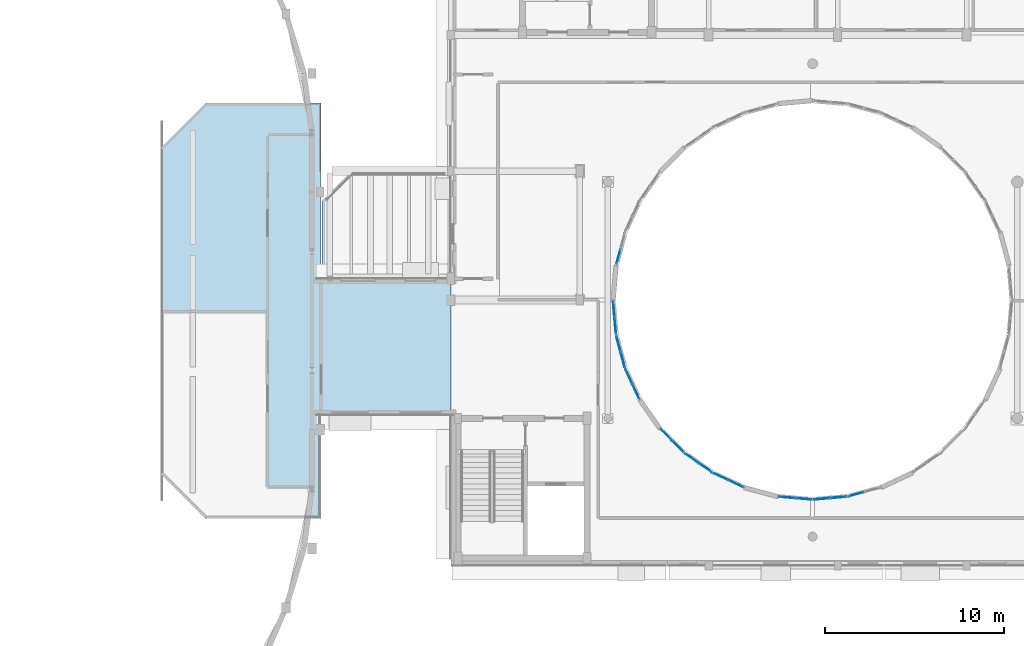
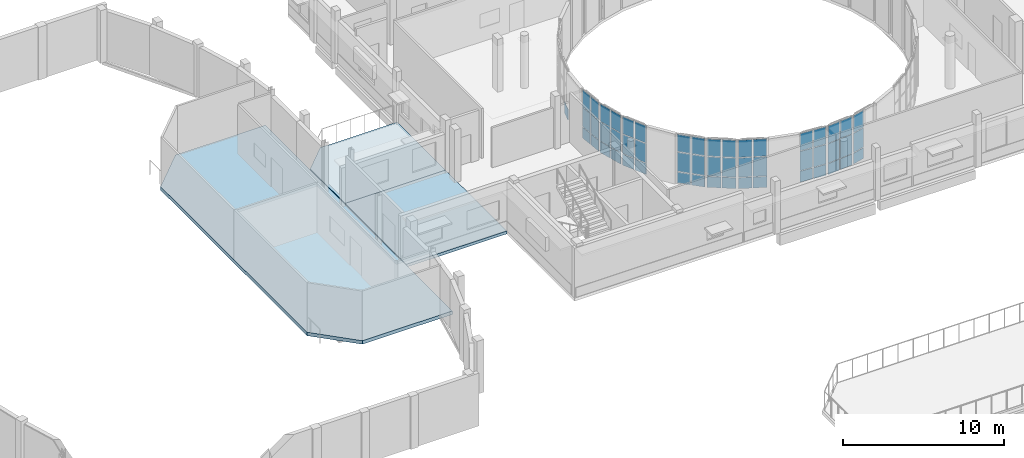
# One storey, part 54 of 92: 52 plates, 3 slabs, 10 elements without a shape of their own.
"""IFC4 building model written with IfcOpenShell, lengths in metres."""

from ifc_helpers import new_model, si_unit, direction, frame, origin, origin_2d, place, context, subcontext, project, spatial, polyline, rectangle, outline, extrude, material, layer, layer_set, type_object, element, aggregate, save


model = new_model("IFC4")

# Units and contexts
model_context = context("Model", 3, precision=1e-05, world=origin(), true_north=direction((0.0, 1.0)))
body_context = subcontext(model_context, "Body", "Model", "MODEL_VIEW")
ifc_project = project(units=[si_unit("LENGTHUNIT", "METRE"), si_unit("AREAUNIT", "SQUARE_METRE"), si_unit("VOLUMEUNIT", "CUBIC_METRE"), si_unit("PLANEANGLEUNIT", "RADIAN"), si_unit("MASSUNIT", "GRAM", prefix="KILO")], contexts=[model_context])

# Site, building, storey
site_placement = place(None, origin())
site = spatial("IfcSite", under=ifc_project, at=site_placement, CompositionType="ELEMENT")
building_placement = place(site_placement, origin())
building = spatial("IfcBuilding", under=site, at=building_placement, Name="Kelanivale Promenade Academy", CompositionType="ELEMENT")
storey_placement = place(building_placement, frame((0.0, 0.0, 8.199951171875)))
storey = spatial("IfcBuildingStorey", under=building, at=storey_placement, Name="L02", CompositionType="ELEMENT", Elevation=8.199951171875)

# Curtain wall, plate
ifc_material_1 = material(Name="Bronze anodised aluminium and solar-control low-E glass", Category="aluminium")
ifc_layer_1 = layer(ifc_material_1, 0.169921875)
ifc_layer_set_1 = layer_set([ifc_layer_1], Name="Bronze anodised aluminium and solar-control low-E glass")
curtain_wall_type_1 = type_object("IfcCurtainWallType", Name="CW-19 Curtain Wall 1350mm Module", PredefinedType="USERDEFINED", material=ifc_layer_set_1)
curtain_wall_1_placement = place(storey_placement, origin())
curtain_wall_1 = element("IfcCurtainWall", 1, at=curtain_wall_1_placement, inside=storey, type_object=curtain_wall_type_1, Name="L02 courtyard curtain wall CW-19", ObjectType="COURTYARD SCREEN GLAZING", PredefinedType="USERDEFINED")
ifc_material_2 = material(Name="Solar-control double glazing 28 mm", Category="glass")
ifc_layer_2 = layer(ifc_material_2, 0.028076171875)
ifc_layer_set_2 = layer_set([ifc_layer_2], Name="Solar-control double glazing 28 mm")
plate_type_1 = type_object("IfcPlateType", Name="CWP-01 Plate 28mm", PredefinedType="CURTAIN_PANEL", material=ifc_layer_set_2)
plate_1_placement = place(storey_placement, frame((52.563232421875, 59.235107421875, 0.05029296875), z_axis=(0.0, 0.0, 1.0), x_axis=(-0.258578458902, -0.965990259056, 0.0)))
plate_1 = element("IfcPlate", 2, at=plate_1_placement, type_object=plate_type_1, Name="CW-19 panel 2.1", PredefinedType="CURTAIN_PANEL", context=body_context, shape_type="SweptSolid", body=[
    extrude(rectangle(XDim=0.853759765625, YDim=0.028076171875, at=origin_2d()), origin(), (0.0, 0.0, 1.0), 0.824951171875),
])
aggregate(curtain_wall_1, [plate_1])

# Curtain wall, plates
ifc_layer_3 = layer(ifc_material_1, 0.169921875)
ifc_layer_set_3 = layer_set([ifc_layer_3], Name="Bronze anodised aluminium and solar-control low-E glass")
curtain_wall_type_2 = type_object("IfcCurtainWallType", Name="CW-22 Curtain Wall 1800mm Module", PredefinedType="USERDEFINED", material=ifc_layer_set_3)
curtain_wall_2_placement = place(storey_placement, origin())
curtain_wall_2 = element("IfcCurtainWall", 3, at=curtain_wall_2_placement, inside=storey, type_object=curtain_wall_type_2, Name="L02 courtyard curtain wall CW-22", ObjectType="COURTYARD SCREEN GLAZING", PredefinedType="USERDEFINED")
plate_2_placement = place(storey_placement, frame((53.1435546875, 52.534423828125, 0.05029296875), z_axis=(0.0, 0.0, 1.0), x_axis=(0.423086860887, -0.906089128146, 0.0)))
plate_2 = element("IfcPlate", 4, at=plate_2_placement, type_object=plate_type_1, Name="CW-22 panel 1.1", PredefinedType="CURTAIN_PANEL", context=body_context, shape_type="SweptSolid", body=[
    extrude(rectangle(XDim=0.861328125, YDim=0.028076171875, at=origin_2d()), origin(), (0.0, 0.0, 1.0), 0.824951171875),
])
plate_3_placement = place(storey_placement, frame((53.1435546875, 52.534423828125, 0.92529296875), z_axis=(0.0, 0.0, 1.0), x_axis=(0.423086860887, -0.906089128146, 0.0)))
plate_3 = element("IfcPlate", 5, at=plate_3_placement, type_object=plate_type_1, Name="CW-22 panel 1.2", PredefinedType="CURTAIN_PANEL", context=body_context, shape_type="SweptSolid", body=[
    extrude(rectangle(XDim=0.861328125, YDim=0.028076171875, at=origin_2d()), origin(), (0.0, 0.0, 1.0), 1.449951171875),
])
plate_4_placement = place(storey_placement, frame((53.1435546875, 52.534423828125, 2.42529296875), z_axis=(0.0, 0.0, 1.0), x_axis=(0.423086860887, -0.906089128146, 0.0)))
plate_4 = element("IfcPlate", 6, at=plate_4_placement, type_object=plate_type_1, Name="CW-22 panel 1.3", PredefinedType="CURTAIN_PANEL", context=body_context, shape_type="SweptSolid", body=[
    extrude(rectangle(XDim=0.861328125, YDim=0.028076171875, at=origin_2d()), origin(), (0.0, 0.0, 1.0), 1.304931640625),
])
plate_5_placement = place(storey_placement, frame((53.533447265625, 51.69970703125, 0.05029296875), z_axis=(0.0, 0.0, 1.0), x_axis=(0.423086860887, -0.906089128146, 0.0)))
plate_5 = element("IfcPlate", 7, at=plate_5_placement, type_object=plate_type_1, Name="CW-22 panel 2.1", PredefinedType="CURTAIN_PANEL", context=body_context, shape_type="SweptSolid", body=[
    extrude(rectangle(XDim=0.861328125, YDim=0.028076171875, at=origin_2d()), origin(), (0.0, 0.0, 1.0), 0.824951171875),
])
plate_6_placement = place(storey_placement, frame((53.533447265625, 51.69970703125, 0.92529296875), z_axis=(0.0, 0.0, 1.0), x_axis=(0.423086860887, -0.906089128146, 0.0)))
plate_6 = element("IfcPlate", 8, at=plate_6_placement, type_object=plate_type_1, Name="CW-22 panel 2.2", PredefinedType="CURTAIN_PANEL", context=body_context, shape_type="SweptSolid", body=[
    extrude(rectangle(XDim=0.861328125, YDim=0.028076171875, at=origin_2d()), origin(), (0.0, 0.0, 1.0), 1.449951171875),
])
plate_7_placement = place(storey_placement, frame((53.533447265625, 51.69970703125, 2.42529296875), z_axis=(0.0, 0.0, 1.0), x_axis=(0.423086860887, -0.906089128146, 0.0)))
plate_7 = element("IfcPlate", 9, at=plate_7_placement, type_object=plate_type_1, Name="CW-22 panel 2.3", PredefinedType="CURTAIN_PANEL", context=body_context, shape_type="SweptSolid", body=[
    extrude(rectangle(XDim=0.861328125, YDim=0.028076171875, at=origin_2d()), origin(), (0.0, 0.0, 1.0), 1.304931640625),
])
aggregate(curtain_wall_2, [plate_2, plate_3, plate_4, plate_5, plate_6, plate_7])

ifc_layer_4 = layer(ifc_material_1, 0.169921875)
ifc_layer_set_4 = layer_set([ifc_layer_4], Name="Bronze anodised aluminium and solar-control low-E glass")
curtain_wall_type_3 = type_object("IfcCurtainWallType", Name="CW-01 Curtain Wall 1350mm Module", PredefinedType="USERDEFINED", material=ifc_layer_set_4)
curtain_wall_3_placement = place(storey_placement, origin())
curtain_wall_3 = element("IfcCurtainWall", 10, at=curtain_wall_3_placement, inside=storey, type_object=curtain_wall_type_3, Name="L02 courtyard curtain wall CW-01", ObjectType="UNITISED GLAZING", PredefinedType="USERDEFINED")
plate_8_placement = place(storey_placement, frame((58.28564453125, 46.939453125, 0.05029296875), z_axis=(0.0, 0.0, 1.0), x_axis=(0.906089128146, -0.423086860887, 0.0)))
plate_8 = element("IfcPlate", 11, at=plate_8_placement, type_object=plate_type_1, Name="CW-01 panel 1.1", PredefinedType="CURTAIN_PANEL", context=body_context, shape_type="SweptSolid", body=[
    extrude(rectangle(XDim=0.861328125, YDim=0.028076171875, at=origin_2d()), origin(), (0.0, 0.0, 1.0), 0.824951171875),
])
plate_9_placement = place(storey_placement, frame((58.28564453125, 46.939453125, 0.92529296875), z_axis=(0.0, 0.0, 1.0), x_axis=(0.906089128146, -0.423086860887, 0.0)))
plate_9 = element("IfcPlate", 12, at=plate_9_placement, type_object=plate_type_1, Name="CW-01 panel 1.2", PredefinedType="CURTAIN_PANEL", context=body_context, shape_type="SweptSolid", body=[
    extrude(rectangle(XDim=0.861328125, YDim=0.028076171875, at=origin_2d()), origin(), (0.0, 0.0, 1.0), 1.449951171875),
])
plate_10_placement = place(storey_placement, frame((58.28564453125, 46.939453125, 2.42529296875), z_axis=(0.0, 0.0, 1.0), x_axis=(0.906089128146, -0.423086860887, 0.0)))
plate_10 = element("IfcPlate", 13, at=plate_10_placement, type_object=plate_type_1, Name="CW-01 panel 1.3", PredefinedType="CURTAIN_PANEL", context=body_context, shape_type="SweptSolid", body=[
    extrude(rectangle(XDim=0.861328125, YDim=0.028076171875, at=origin_2d()), origin(), (0.0, 0.0, 1.0), 1.304931640625),
])
plate_11_placement = place(storey_placement, frame((59.120361328125, 46.549560546875, 0.05029296875), z_axis=(0.0, 0.0, 1.0), x_axis=(0.906089128146, -0.423086860887, 0.0)))
plate_11 = element("IfcPlate", 14, at=plate_11_placement, type_object=plate_type_1, Name="CW-01 panel 2.1", PredefinedType="CURTAIN_PANEL", context=body_context, shape_type="SweptSolid", body=[
    extrude(rectangle(XDim=0.861328125, YDim=0.028076171875, at=origin_2d()), origin(), (0.0, 0.0, 1.0), 0.824951171875),
])
plate_12_placement = place(storey_placement, frame((59.120361328125, 46.549560546875, 0.92529296875), z_axis=(0.0, 0.0, 1.0), x_axis=(0.906089128146, -0.423086860887, 0.0)))
plate_12 = element("IfcPlate", 15, at=plate_12_placement, type_object=plate_type_1, Name="CW-01 panel 2.2", PredefinedType="CURTAIN_PANEL", context=body_context, shape_type="SweptSolid", body=[
    extrude(rectangle(XDim=0.861328125, YDim=0.028076171875, at=origin_2d()), origin(), (0.0, 0.0, 1.0), 1.449951171875),
])
plate_13_placement = place(storey_placement, frame((59.120361328125, 46.549560546875, 2.42529296875), z_axis=(0.0, 0.0, 1.0), x_axis=(0.906089128146, -0.423086860887, 0.0)))
plate_13 = element("IfcPlate", 16, at=plate_13_placement, type_object=plate_type_1, Name="CW-01 panel 2.3", PredefinedType="CURTAIN_PANEL", context=body_context, shape_type="SweptSolid", body=[
    extrude(rectangle(XDim=0.861328125, YDim=0.028076171875, at=origin_2d()), origin(), (0.0, 0.0, 1.0), 1.304931640625),
])
aggregate(curtain_wall_3, [plate_8, plate_9, plate_10, plate_11, plate_12, plate_13])

ifc_layer_5 = layer(ifc_material_1, 0.169921875)
ifc_layer_set_5 = layer_set([ifc_layer_5], Name="Bronze anodised aluminium and solar-control low-E glass")
curtain_wall_type_4 = type_object("IfcCurtainWallType", Name="CW-04 Curtain Wall 1800mm Module", PredefinedType="USERDEFINED", material=ifc_layer_set_5)
curtain_wall_4_placement = place(storey_placement, origin())
curtain_wall_4 = element("IfcCurtainWall", 17, at=curtain_wall_4_placement, inside=storey, type_object=curtain_wall_type_4, Name="L02 courtyard curtain wall CW-04", ObjectType="UNITISED GLAZING", PredefinedType="USERDEFINED")
plate_14_placement = place(storey_placement, frame((65.8212890625, 45.959228515625, 0.06005859375), z_axis=(0.0, 0.0, 1.0), x_axis=(0.965990259056, 0.258578458902, 0.0)))
plate_14 = element("IfcPlate", 18, at=plate_14_placement, type_object=plate_type_1, Name="CW-04 panel 1.1", PredefinedType="CURTAIN_PANEL", context=body_context, shape_type="SweptSolid", body=[
    extrude(rectangle(XDim=0.853759765625, YDim=0.028076171875, at=origin_2d()), origin(), (0.0, 0.0, 1.0), 0.81005859375),
])
plate_15_placement = place(storey_placement, frame((65.8212890625, 45.959228515625, 0.93017578125), z_axis=(0.0, 0.0, 1.0), x_axis=(0.965990259056, 0.258578458902, 0.0)))
plate_15 = element("IfcPlate", 19, at=plate_15_placement, type_object=plate_type_1, Name="CW-04 panel 1.2", PredefinedType="CURTAIN_PANEL", context=body_context, shape_type="SweptSolid", body=[
    extrude(rectangle(XDim=0.853759765625, YDim=0.028076171875, at=origin_2d()), origin(), (0.0, 0.0, 1.0), 1.43994140625),
])
plate_16_placement = place(storey_placement, frame((65.8212890625, 45.959228515625, 2.429931640625), z_axis=(0.0, 0.0, 1.0), x_axis=(0.965990259056, 0.258578458902, 0.0)))
plate_16 = element("IfcPlate", 20, at=plate_16_placement, type_object=plate_type_1, Name="CW-04 panel 1.3", PredefinedType="CURTAIN_PANEL", context=body_context, shape_type="SweptSolid", body=[
    extrude(rectangle(XDim=0.853759765625, YDim=0.028076171875, at=origin_2d()), origin(), (0.0, 0.0, 1.0), 1.2900390625),
])
aggregate(curtain_wall_4, [plate_14, plate_15, plate_16])

ifc_layer_6 = layer(ifc_material_1, 0.179931640625)
ifc_layer_set_6 = layer_set([ifc_layer_6], Name="Bronze anodised aluminium and solar-control low-E glass")
curtain_wall_type_5 = type_object("IfcCurtainWallType", Name="CW-20 Curtain Wall 1500mm Module", PredefinedType="USERDEFINED", material=ifc_layer_set_6)
curtain_wall_5_placement = place(storey_placement, origin())
curtain_wall_5 = element("IfcCurtainWall", 21, at=curtain_wall_5_placement, inside=storey, type_object=curtain_wall_type_5, Name="L02 courtyard curtain wall CW-20", ObjectType="COURTYARD SCREEN GLAZING", PredefinedType="USERDEFINED")
ifc_material_3 = material(Name="Acoustic laminated double glazing 36 mm", Category="glass")
ifc_layer_7 = layer(ifc_material_3, 0.035888671875)
ifc_layer_set_7 = layer_set([ifc_layer_7], Name="Acoustic laminated double glazing 36 mm")
plate_type_2 = type_object("IfcPlateType", Name="CWP-02 Plate 36mm", PredefinedType="CURTAIN_PANEL", material=ifc_layer_set_7)
plate_17_placement = place(storey_placement, frame((52.304931640625, 56.282958984375, 0.06005859375), z_axis=(0.0, 0.0, 1.0), x_axis=(0.087264768066, -0.996185153601, 0.0)))
plate_17 = element("IfcPlate", 22, at=plate_17_placement, type_object=plate_type_2, Name="CW-20 panel 1.1", PredefinedType="CURTAIN_PANEL", context=body_context, shape_type="SweptSolid", body=[
    extrude(rectangle(XDim=0.853515625, YDim=0.035888671875, at=origin_2d()), origin(), (0.0, 0.0, 1.0), 0.81005859375),
])
plate_18_placement = place(storey_placement, frame((52.304931640625, 56.282958984375, 0.93017578125), z_axis=(0.0, 0.0, 1.0), x_axis=(0.087264768066, -0.996185153601, 0.0)))
plate_18 = element("IfcPlate", 23, at=plate_18_placement, type_object=plate_type_2, Name="CW-20 panel 1.2", PredefinedType="CURTAIN_PANEL", context=body_context, shape_type="SweptSolid", body=[
    extrude(rectangle(XDim=0.853515625, YDim=0.035888671875, at=origin_2d()), origin(), (0.0, 0.0, 1.0), 1.43994140625),
])
plate_19_placement = place(storey_placement, frame((52.304931640625, 56.282958984375, 2.429931640625), z_axis=(0.0, 0.0, 1.0), x_axis=(0.087264768066, -0.996185153601, 0.0)))
plate_19 = element("IfcPlate", 24, at=plate_19_placement, type_object=plate_type_2, Name="CW-20 panel 1.3", PredefinedType="CURTAIN_PANEL", context=body_context, shape_type="SweptSolid", body=[
    extrude(rectangle(XDim=0.853515625, YDim=0.035888671875, at=origin_2d()), origin(), (0.0, 0.0, 1.0), 1.2900390625),
])
plate_20_placement = place(storey_placement, frame((52.385009765625, 55.367919921875, 0.06005859375), z_axis=(0.0, 0.0, 1.0), x_axis=(0.087264768066, -0.996185153601, 0.0)))
plate_20 = element("IfcPlate", 25, at=plate_20_placement, type_object=plate_type_2, Name="CW-20 panel 2.1", PredefinedType="CURTAIN_PANEL", context=body_context, shape_type="SweptSolid", body=[
    extrude(rectangle(XDim=0.853515625, YDim=0.035888671875, at=origin_2d()), origin(), (0.0, 0.0, 1.0), 0.81005859375),
])
plate_21_placement = place(storey_placement, frame((52.385009765625, 55.367919921875, 0.93017578125), z_axis=(0.0, 0.0, 1.0), x_axis=(0.087264768066, -0.996185153601, 0.0)))
plate_21 = element("IfcPlate", 26, at=plate_21_placement, type_object=plate_type_2, Name="CW-20 panel 2.2", PredefinedType="CURTAIN_PANEL", context=body_context, shape_type="SweptSolid", body=[
    extrude(rectangle(XDim=0.853515625, YDim=0.035888671875, at=origin_2d()), origin(), (0.0, 0.0, 1.0), 1.43994140625),
])
plate_22_placement = place(storey_placement, frame((52.385009765625, 55.367919921875, 2.429931640625), z_axis=(0.0, 0.0, 1.0), x_axis=(0.087264768066, -0.996185153601, 0.0)))
plate_22 = element("IfcPlate", 27, at=plate_22_placement, type_object=plate_type_2, Name="CW-20 panel 2.3", PredefinedType="CURTAIN_PANEL", context=body_context, shape_type="SweptSolid", body=[
    extrude(rectangle(XDim=0.853515625, YDim=0.035888671875, at=origin_2d()), origin(), (0.0, 0.0, 1.0), 1.2900390625),
])
aggregate(curtain_wall_5, [plate_17, plate_18, plate_19, plate_20, plate_21, plate_22])

ifc_layer_8 = layer(ifc_material_1, 0.179931640625)
ifc_layer_set_8 = layer_set([ifc_layer_8], Name="Bronze anodised aluminium and solar-control low-E glass")
curtain_wall_type_6 = type_object("IfcCurtainWallType", Name="CW-23 Curtain Wall 1950mm Module", PredefinedType="USERDEFINED", material=ifc_layer_set_8)
curtain_wall_6_placement = place(storey_placement, origin())
curtain_wall_6 = element("IfcCurtainWall", 28, at=curtain_wall_6_placement, inside=storey, type_object=curtain_wall_type_6, Name="L02 courtyard curtain wall CW-23", ObjectType="COURTYARD SCREEN GLAZING", PredefinedType="USERDEFINED")
plate_23_placement = place(storey_placement, frame((55.2333984375, 49.271484375, 0.05029296875), z_axis=(0.0, 0.0, 1.0), x_axis=(0.707106781187, -0.707106781187, 0.0)))
plate_23 = element("IfcPlate", 29, at=plate_23_placement, type_object=plate_type_2, Name="CW-23 panel 1.1", PredefinedType="CURTAIN_PANEL", context=body_context, shape_type="SweptSolid", body=[
    extrude(rectangle(XDim=0.852783203125, YDim=0.035888671875, at=origin_2d()), origin(), (0.0, 0.0, 1.0), 0.824951171875),
])
plate_24_placement = place(storey_placement, frame((55.2333984375, 49.271484375, 0.92529296875), z_axis=(0.0, 0.0, 1.0), x_axis=(0.707106781187, -0.707106781187, 0.0)))
plate_24 = element("IfcPlate", 30, at=plate_24_placement, type_object=plate_type_2, Name="CW-23 panel 1.2", PredefinedType="CURTAIN_PANEL", context=body_context, shape_type="SweptSolid", body=[
    extrude(rectangle(XDim=0.852783203125, YDim=0.035888671875, at=origin_2d()), origin(), (0.0, 0.0, 1.0), 1.449951171875),
])
plate_25_placement = place(storey_placement, frame((55.2333984375, 49.271484375, 2.42529296875), z_axis=(0.0, 0.0, 1.0), x_axis=(0.707106781187, -0.707106781187, 0.0)))
plate_25 = element("IfcPlate", 31, at=plate_25_placement, type_object=plate_type_2, Name="CW-23 panel 1.3", PredefinedType="CURTAIN_PANEL", context=body_context, shape_type="SweptSolid", body=[
    extrude(rectangle(XDim=0.852783203125, YDim=0.035888671875, at=origin_2d()), origin(), (0.0, 0.0, 1.0), 1.304931640625),
])
plate_26_placement = place(storey_placement, frame((55.882568359375, 48.62255859375, 0.05029296875), z_axis=(0.0, 0.0, 1.0), x_axis=(0.707106781187, -0.707106781187, 0.0)))
plate_26 = element("IfcPlate", 32, at=plate_26_placement, type_object=plate_type_2, Name="CW-23 panel 2.1", PredefinedType="CURTAIN_PANEL", context=body_context, shape_type="SweptSolid", body=[
    extrude(rectangle(XDim=0.852783203125, YDim=0.035888671875, at=origin_2d()), origin(), (0.0, 0.0, 1.0), 0.824951171875),
])
plate_27_placement = place(storey_placement, frame((55.882568359375, 48.62255859375, 0.92529296875), z_axis=(0.0, 0.0, 1.0), x_axis=(0.707106781187, -0.707106781187, 0.0)))
plate_27 = element("IfcPlate", 33, at=plate_27_placement, type_object=plate_type_2, Name="CW-23 panel 2.2", PredefinedType="CURTAIN_PANEL", context=body_context, shape_type="SweptSolid", body=[
    extrude(rectangle(XDim=0.852783203125, YDim=0.035888671875, at=origin_2d()), origin(), (0.0, 0.0, 1.0), 1.449951171875),
])
plate_28_placement = place(storey_placement, frame((55.882568359375, 48.62255859375, 2.42529296875), z_axis=(0.0, 0.0, 1.0), x_axis=(0.707106781187, -0.707106781187, 0.0)))
plate_28 = element("IfcPlate", 34, at=plate_28_placement, type_object=plate_type_2, Name="CW-23 panel 2.3", PredefinedType="CURTAIN_PANEL", context=body_context, shape_type="SweptSolid", body=[
    extrude(rectangle(XDim=0.852783203125, YDim=0.035888671875, at=origin_2d()), origin(), (0.0, 0.0, 1.0), 1.304931640625),
])
aggregate(curtain_wall_6, [plate_23, plate_24, plate_25, plate_26, plate_27, plate_28])

ifc_layer_9 = layer(ifc_material_1, 0.179931640625)
ifc_layer_set_9 = layer_set([ifc_layer_9], Name="Bronze anodised aluminium and solar-control low-E glass")
curtain_wall_type_7 = type_object("IfcCurtainWallType", Name="CW-02 Curtain Wall 1500mm Module", PredefinedType="USERDEFINED", material=ifc_layer_set_9)
curtain_wall_7_placement = place(storey_placement, origin())
curtain_wall_7 = element("IfcCurtainWall", 35, at=curtain_wall_7_placement, inside=storey, type_object=curtain_wall_type_7, Name="L02 courtyard curtain wall CW-02", ObjectType="UNITISED GLAZING", PredefinedType="USERDEFINED")
plate_29_placement = place(storey_placement, frame((61.981689453125, 45.7841796875, 0.05029296875), z_axis=(0.0, 0.0, 1.0), x_axis=(0.996185153601, -0.087264768066, 0.0)))
plate_29 = element("IfcPlate", 36, at=plate_29_placement, type_object=plate_type_2, Name="CW-02 panel 1.1", PredefinedType="CURTAIN_PANEL", context=body_context, shape_type="SweptSolid", body=[
    extrude(rectangle(XDim=0.861083984375, YDim=0.035888671875, at=origin_2d()), origin(), (0.0, 0.0, 1.0), 0.824951171875),
])
plate_30_placement = place(storey_placement, frame((61.981689453125, 45.7841796875, 0.92529296875), z_axis=(0.0, 0.0, 1.0), x_axis=(0.996185153601, -0.087264768066, 0.0)))
plate_30 = element("IfcPlate", 37, at=plate_30_placement, type_object=plate_type_2, Name="CW-02 panel 1.2", PredefinedType="CURTAIN_PANEL", context=body_context, shape_type="SweptSolid", body=[
    extrude(rectangle(XDim=0.861083984375, YDim=0.035888671875, at=origin_2d()), origin(), (0.0, 0.0, 1.0), 1.449951171875),
])
plate_31_placement = place(storey_placement, frame((61.981689453125, 45.7841796875, 2.42529296875), z_axis=(0.0, 0.0, 1.0), x_axis=(0.996185153601, -0.087264768066, 0.0)))
plate_31 = element("IfcPlate", 38, at=plate_31_placement, type_object=plate_type_2, Name="CW-02 panel 1.3", PredefinedType="CURTAIN_PANEL", context=body_context, shape_type="SweptSolid", body=[
    extrude(rectangle(XDim=0.861083984375, YDim=0.035888671875, at=origin_2d()), origin(), (0.0, 0.0, 1.0), 1.304931640625),
])
plate_32_placement = place(storey_placement, frame((62.8994140625, 45.703857421875, 0.05029296875), z_axis=(0.0, 0.0, 1.0), x_axis=(0.996185153601, -0.087264768066, 0.0)))
plate_32 = element("IfcPlate", 39, at=plate_32_placement, type_object=plate_type_2, Name="CW-02 panel 2.1", PredefinedType="CURTAIN_PANEL", context=body_context, shape_type="SweptSolid", body=[
    extrude(rectangle(XDim=0.861083984375, YDim=0.035888671875, at=origin_2d()), origin(), (0.0, 0.0, 1.0), 0.824951171875),
])
plate_33_placement = place(storey_placement, frame((62.8994140625, 45.703857421875, 0.92529296875), z_axis=(0.0, 0.0, 1.0), x_axis=(0.996185153601, -0.087264768066, 0.0)))
plate_33 = element("IfcPlate", 40, at=plate_33_placement, type_object=plate_type_2, Name="CW-02 panel 2.2", PredefinedType="CURTAIN_PANEL", context=body_context, shape_type="SweptSolid", body=[
    extrude(rectangle(XDim=0.861083984375, YDim=0.035888671875, at=origin_2d()), origin(), (0.0, 0.0, 1.0), 1.449951171875),
])
plate_34_placement = place(storey_placement, frame((62.8994140625, 45.703857421875, 2.42529296875), z_axis=(0.0, 0.0, 1.0), x_axis=(0.996185153601, -0.087264768066, 0.0)))
plate_34 = element("IfcPlate", 41, at=plate_34_placement, type_object=plate_type_2, Name="CW-02 panel 2.3", PredefinedType="CURTAIN_PANEL", context=body_context, shape_type="SweptSolid", body=[
    extrude(rectangle(XDim=0.861083984375, YDim=0.035888671875, at=origin_2d()), origin(), (0.0, 0.0, 1.0), 1.304931640625),
])
aggregate(curtain_wall_7, [plate_29, plate_30, plate_31, plate_32, plate_33, plate_34])

ifc_layer_10 = layer(ifc_material_1, 0.159912109375)
ifc_layer_set_10 = layer_set([ifc_layer_10], Name="Bronze anodised aluminium and solar-control low-E glass")
curtain_wall_type_8 = type_object("IfcCurtainWallType", Name="CW-21 Curtain Wall 1650mm Module", PredefinedType="USERDEFINED", material=ifc_layer_set_10)
curtain_wall_8_placement = place(storey_placement, origin())
curtain_wall_8 = element("IfcCurtainWall", 42, at=curtain_wall_8_placement, inside=storey, type_object=curtain_wall_type_8, Name="L02 courtyard curtain wall CW-21", ObjectType="COURTYARD SCREEN GLAZING", PredefinedType="USERDEFINED")
ifc_material_4 = material(Name="Insulated bronze aluminium spandrel panel 44 mm", Category="aluminium")
ifc_layer_11 = layer(ifc_material_4, 0.0439453125)
ifc_layer_set_11 = layer_set([ifc_layer_11], Name="Insulated bronze aluminium spandrel panel 44 mm")
plate_type_3 = type_object("IfcPlateType", Name="CWP-03 Plate 44mm", PredefinedType="CURTAIN_PANEL", material=ifc_layer_set_11)
plate_35_placement = place(storey_placement, frame((52.559814453125, 54.37646484375, 0.05029296875), z_axis=(0.0, 0.0, 1.0), x_axis=(0.258701323721, -0.96595736195, 0.0)))
plate_35 = element("IfcPlate", 43, at=plate_35_placement, type_object=plate_type_3, Name="CW-21 panel 1.1", PredefinedType="CURTAIN_PANEL", context=body_context, shape_type="SweptSolid", body=[
    extrude(rectangle(XDim=0.86865234375, YDim=0.0439453125, at=origin_2d()), origin(), (0.0, 0.0, 1.0), 0.824951171875),
])
plate_36_placement = place(storey_placement, frame((52.559814453125, 54.37646484375, 0.92529296875), z_axis=(0.0, 0.0, 1.0), x_axis=(0.258701323721, -0.96595736195, 0.0)))
plate_36 = element("IfcPlate", 44, at=plate_36_placement, type_object=plate_type_3, Name="CW-21 panel 1.2", PredefinedType="CURTAIN_PANEL", context=body_context, shape_type="SweptSolid", body=[
    extrude(rectangle(XDim=0.86865234375, YDim=0.0439453125, at=origin_2d()), origin(), (0.0, 0.0, 1.0), 1.449951171875),
])
plate_37_placement = place(storey_placement, frame((52.559814453125, 54.37646484375, 2.42529296875), z_axis=(0.0, 0.0, 1.0), x_axis=(0.258701323721, -0.96595736195, 0.0)))
plate_37 = element("IfcPlate", 45, at=plate_37_placement, type_object=plate_type_3, Name="CW-21 panel 1.3", PredefinedType="CURTAIN_PANEL", context=body_context, shape_type="SweptSolid", body=[
    extrude(rectangle(XDim=0.86865234375, YDim=0.0439453125, at=origin_2d()), origin(), (0.0, 0.0, 1.0), 1.304931640625),
])
plate_38_placement = place(storey_placement, frame((52.800048828125, 53.4794921875, 0.05029296875), z_axis=(0.0, 0.0, 1.0), x_axis=(0.258701323721, -0.96595736195, 0.0)))
plate_38 = element("IfcPlate", 46, at=plate_38_placement, type_object=plate_type_3, Name="CW-21 panel 2.1", PredefinedType="CURTAIN_PANEL", context=body_context, shape_type="SweptSolid", body=[
    extrude(rectangle(XDim=0.86865234375, YDim=0.0439453125, at=origin_2d()), origin(), (0.0, 0.0, 1.0), 0.824951171875),
])
plate_39_placement = place(storey_placement, frame((52.800048828125, 53.4794921875, 0.92529296875), z_axis=(0.0, 0.0, 1.0), x_axis=(0.258701323721, -0.96595736195, 0.0)))
plate_39 = element("IfcPlate", 47, at=plate_39_placement, type_object=plate_type_3, Name="CW-21 panel 2.2", PredefinedType="CURTAIN_PANEL", context=body_context, shape_type="SweptSolid", body=[
    extrude(rectangle(XDim=0.86865234375, YDim=0.0439453125, at=origin_2d()), origin(), (0.0, 0.0, 1.0), 1.449951171875),
])
plate_40_placement = place(storey_placement, frame((52.800048828125, 53.4794921875, 2.42529296875), z_axis=(0.0, 0.0, 1.0), x_axis=(0.258701323721, -0.96595736195, 0.0)))
plate_40 = element("IfcPlate", 48, at=plate_40_placement, type_object=plate_type_3, Name="CW-21 panel 2.3", PredefinedType="CURTAIN_PANEL", context=body_context, shape_type="SweptSolid", body=[
    extrude(rectangle(XDim=0.86865234375, YDim=0.0439453125, at=origin_2d()), origin(), (0.0, 0.0, 1.0), 1.304931640625),
])
aggregate(curtain_wall_8, [plate_35, plate_36, plate_37, plate_38, plate_39, plate_40])

ifc_layer_12 = layer(ifc_material_1, 0.159912109375)
ifc_layer_set_12 = layer_set([ifc_layer_12], Name="Bronze anodised aluminium and solar-control low-E glass")
curtain_wall_type_9 = type_object("IfcCurtainWallType", Name="CW-24 Curtain Wall 1200mm Module", PredefinedType="USERDEFINED", material=ifc_layer_set_12)
curtain_wall_9_placement = place(storey_placement, origin())
curtain_wall_9 = element("IfcCurtainWall", 49, at=curtain_wall_9_placement, inside=storey, type_object=curtain_wall_type_9, Name="L02 courtyard curtain wall CW-24", ObjectType="COURTYARD SCREEN GLAZING", PredefinedType="USERDEFINED")
plate_41_placement = place(storey_placement, frame((56.655029296875, 47.974609375, 0.06005859375), z_axis=(0.0, 0.0, 1.0), x_axis=(0.81915842439, -0.573567324515, 0.0)))
plate_41 = element("IfcPlate", 50, at=plate_41_placement, type_object=plate_type_3, Name="CW-24 panel 1.1", PredefinedType="CURTAIN_PANEL", context=body_context, shape_type="SweptSolid", body=[
    extrude(rectangle(XDim=0.861328125, YDim=0.0439453125, at=origin_2d()), origin(), (0.0, 0.0, 1.0), 0.81005859375),
])
plate_42_placement = place(storey_placement, frame((56.655029296875, 47.974609375, 0.93017578125), z_axis=(0.0, 0.0, 1.0), x_axis=(0.81915842439, -0.573567324515, 0.0)))
plate_42 = element("IfcPlate", 51, at=plate_42_placement, type_object=plate_type_3, Name="CW-24 panel 1.2", PredefinedType="CURTAIN_PANEL", context=body_context, shape_type="SweptSolid", body=[
    extrude(rectangle(XDim=0.861328125, YDim=0.0439453125, at=origin_2d()), origin(), (0.0, 0.0, 1.0), 1.43994140625),
])
plate_43_placement = place(storey_placement, frame((56.655029296875, 47.974609375, 2.429931640625), z_axis=(0.0, 0.0, 1.0), x_axis=(0.81915842439, -0.573567324515, 0.0)))
plate_43 = element("IfcPlate", 52, at=plate_43_placement, type_object=plate_type_3, Name="CW-24 panel 1.3", PredefinedType="CURTAIN_PANEL", context=body_context, shape_type="SweptSolid", body=[
    extrude(rectangle(XDim=0.861328125, YDim=0.0439453125, at=origin_2d()), origin(), (0.0, 0.0, 1.0), 1.2900390625),
])
plate_44_placement = place(storey_placement, frame((57.413818359375, 47.443359375, 0.06005859375), z_axis=(0.0, 0.0, 1.0), x_axis=(0.81915842439, -0.573567324515, 0.0)))
plate_44 = element("IfcPlate", 53, at=plate_44_placement, type_object=plate_type_3, Name="CW-24 panel 2.1", PredefinedType="CURTAIN_PANEL", context=body_context, shape_type="SweptSolid", body=[
    extrude(rectangle(XDim=0.861328125, YDim=0.0439453125, at=origin_2d()), origin(), (0.0, 0.0, 1.0), 0.81005859375),
])
plate_45_placement = place(storey_placement, frame((57.413818359375, 47.443359375, 0.93017578125), z_axis=(0.0, 0.0, 1.0), x_axis=(0.81915842439, -0.573567324515, 0.0)))
plate_45 = element("IfcPlate", 54, at=plate_45_placement, type_object=plate_type_3, Name="CW-24 panel 2.2", PredefinedType="CURTAIN_PANEL", context=body_context, shape_type="SweptSolid", body=[
    extrude(rectangle(XDim=0.861328125, YDim=0.0439453125, at=origin_2d()), origin(), (0.0, 0.0, 1.0), 1.43994140625),
])
plate_46_placement = place(storey_placement, frame((57.413818359375, 47.443359375, 2.429931640625), z_axis=(0.0, 0.0, 1.0), x_axis=(0.81915842439, -0.573567324515, 0.0)))
plate_46 = element("IfcPlate", 55, at=plate_46_placement, type_object=plate_type_3, Name="CW-24 panel 2.3", PredefinedType="CURTAIN_PANEL", context=body_context, shape_type="SweptSolid", body=[
    extrude(rectangle(XDim=0.861328125, YDim=0.0439453125, at=origin_2d()), origin(), (0.0, 0.0, 1.0), 1.2900390625),
])
aggregate(curtain_wall_9, [plate_41, plate_42, plate_43, plate_44, plate_45, plate_46])

ifc_layer_13 = layer(ifc_material_1, 0.159912109375)
ifc_layer_set_13 = layer_set([ifc_layer_13], Name="Bronze anodised aluminium and solar-control low-E glass")
curtain_wall_type_10 = type_object("IfcCurtainWallType", Name="CW-03 Curtain Wall 1650mm Module", PredefinedType="USERDEFINED", material=ifc_layer_set_13)
curtain_wall_10_placement = place(storey_placement, origin())
curtain_wall_10 = element("IfcCurtainWall", 56, at=curtain_wall_10_placement, inside=storey, type_object=curtain_wall_type_10, Name="L02 courtyard curtain wall CW-03", ObjectType="UNITISED GLAZING", PredefinedType="USERDEFINED")
plate_47_placement = place(storey_placement, frame((63.90576171875, 45.7041015625, 0.05029296875), z_axis=(0.0, 0.0, 1.0), x_axis=(0.996199376727, 0.087102249164, 0.0)))
plate_47 = element("IfcPlate", 57, at=plate_47_placement, type_object=plate_type_3, Name="CW-03 panel 1.1", PredefinedType="CURTAIN_PANEL", context=body_context, shape_type="SweptSolid", body=[
    extrude(rectangle(XDim=0.861083984375, YDim=0.0439453125, at=origin_2d()), origin(), (0.0, 0.0, 1.0), 0.824951171875),
])
plate_48_placement = place(storey_placement, frame((63.90576171875, 45.7041015625, 0.92529296875), z_axis=(0.0, 0.0, 1.0), x_axis=(0.996199376727, 0.087102249164, 0.0)))
plate_48 = element("IfcPlate", 58, at=plate_48_placement, type_object=plate_type_3, Name="CW-03 panel 1.2", PredefinedType="CURTAIN_PANEL", context=body_context, shape_type="SweptSolid", body=[
    extrude(rectangle(XDim=0.861083984375, YDim=0.0439453125, at=origin_2d()), origin(), (0.0, 0.0, 1.0), 1.449951171875),
])
plate_49_placement = place(storey_placement, frame((63.90576171875, 45.7041015625, 2.42529296875), z_axis=(0.0, 0.0, 1.0), x_axis=(0.996199376727, 0.087102249164, 0.0)))
plate_49 = element("IfcPlate", 59, at=plate_49_placement, type_object=plate_type_3, Name="CW-03 panel 1.3", PredefinedType="CURTAIN_PANEL", context=body_context, shape_type="SweptSolid", body=[
    extrude(rectangle(XDim=0.861083984375, YDim=0.0439453125, at=origin_2d()), origin(), (0.0, 0.0, 1.0), 1.304931640625),
])
plate_50_placement = place(storey_placement, frame((64.828369140625, 45.784912109375, 0.05029296875), z_axis=(0.0, 0.0, 1.0), x_axis=(0.996199376727, 0.087102249164, 0.0)))
plate_50 = element("IfcPlate", 60, at=plate_50_placement, type_object=plate_type_3, Name="CW-03 panel 2.1", PredefinedType="CURTAIN_PANEL", context=body_context, shape_type="SweptSolid", body=[
    extrude(rectangle(XDim=0.861083984375, YDim=0.0439453125, at=origin_2d()), origin(), (0.0, 0.0, 1.0), 0.824951171875),
])
plate_51_placement = place(storey_placement, frame((64.828369140625, 45.784912109375, 0.92529296875), z_axis=(0.0, 0.0, 1.0), x_axis=(0.996199376727, 0.087102249164, 0.0)))
plate_51 = element("IfcPlate", 61, at=plate_51_placement, type_object=plate_type_3, Name="CW-03 panel 2.2", PredefinedType="CURTAIN_PANEL", context=body_context, shape_type="SweptSolid", body=[
    extrude(rectangle(XDim=0.861083984375, YDim=0.0439453125, at=origin_2d()), origin(), (0.0, 0.0, 1.0), 1.449951171875),
])
plate_52_placement = place(storey_placement, frame((64.828369140625, 45.784912109375, 2.42529296875), z_axis=(0.0, 0.0, 1.0), x_axis=(0.996199376727, 0.087102249164, 0.0)))
plate_52 = element("IfcPlate", 62, at=plate_52_placement, type_object=plate_type_3, Name="CW-03 panel 2.3", PredefinedType="CURTAIN_PANEL", context=body_context, shape_type="SweptSolid", body=[
    extrude(rectangle(XDim=0.861083984375, YDim=0.0439453125, at=origin_2d()), origin(), (0.0, 0.0, 1.0), 1.304931640625),
])
aggregate(curtain_wall_10, [plate_47, plate_48, plate_49, plate_50, plate_51, plate_52])

# Slabs
ifc_material_5 = material(Name="Concrete C35/45", Category="concrete")
ifc_layer_14 = layer(ifc_material_5, 0.219970703125)
ifc_layer_set_14 = layer_set([ifc_layer_14], Name="Concrete C35/45")
slab_type_1 = type_object("IfcSlabType", Name="FS-01 Slab 220mm", PredefinedType="FLOOR", material=ifc_layer_set_14)
slab_1_placement = place(storey_placement, frame((0.0, 0.0, -0.219970703125)))
element("IfcSlab", 63, at=slab_1_placement, inside=storey, type_object=slab_type_1, Name="L02 structural slab SLB-L02-LKW", PredefinedType="FLOOR", context=body_context, shape_type="SweptSolid", body=[
    extrude(outline(polyline([(43.199951171875, 50.39990234375), (43.199951171875, 58.0), (36.0, 58.0), (36.0, 50.39990234375), (43.199951171875, 50.39990234375)])), origin(), (0.0, 0.0, 1.0), 0.219970703125),
])
ifc_layer_15 = layer(ifc_material_5, 0.264892578125)
ifc_layer_set_15 = layer_set([ifc_layer_15], Name="Concrete C35/45")
slab_type_2 = type_object("IfcSlabType", Name="FS-02 Slab 265mm", PredefinedType="FLOOR", material=ifc_layer_set_15)
slab_2_placement = place(storey_placement, frame((0.0, 0.0, -0.264892578125)))
element("IfcSlab", 64, at=slab_2_placement, inside=storey, type_object=slab_type_2, Name="L02 structural slab SLB-L02-V1G", PredefinedType="FLOOR", context=body_context, shape_type="SweptSolid", body=[
    extrude(outline(polyline([(29.506103515625, 44.60009765625), (35.949951171875, 44.60009765625), (35.949951171875, 67.800048828125), (29.506103515625, 67.800048828125), (27.0, 65.2939453125), (27.0, 47.10595703125), (29.506103515625, 44.60009765625)])), origin(), (0.0, 0.0, 1.0), 0.264892578125),
])
ifc_layer_16 = layer(ifc_material_5, 0.235107421875)
ifc_layer_set_16 = layer_set([ifc_layer_16], Name="Concrete C35/45")
slab_type_3 = type_object("IfcSlabType", Name="PD-01 Slab 235mm", PredefinedType="FLOOR", material=ifc_layer_set_16)
slab_3_placement = place(storey_placement, frame((0.0, 0.0, -0.23486328125)))
element("IfcSlab", 65, at=slab_3_placement, inside=storey, type_object=slab_type_3, Name="Sports Foyer Shoulder Play Deck", PredefinedType="FLOOR", context=body_context, shape_type="SweptSolid", body=[
    extrude(outline(polyline([(43.199951171875, 58.0), (43.199951171875, 64.0), (37.679931640625, 64.0), (36.0, 62.320068359375), (36.0, 58.0), (43.199951171875, 58.0)])), origin(), (0.0, 0.0, 1.0), 0.23486328125),
])

save(model, "model.ifc")
